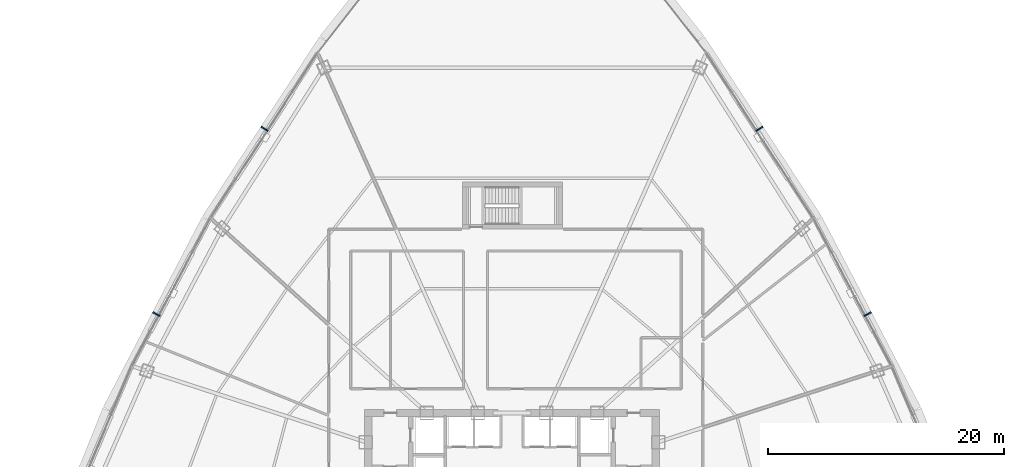
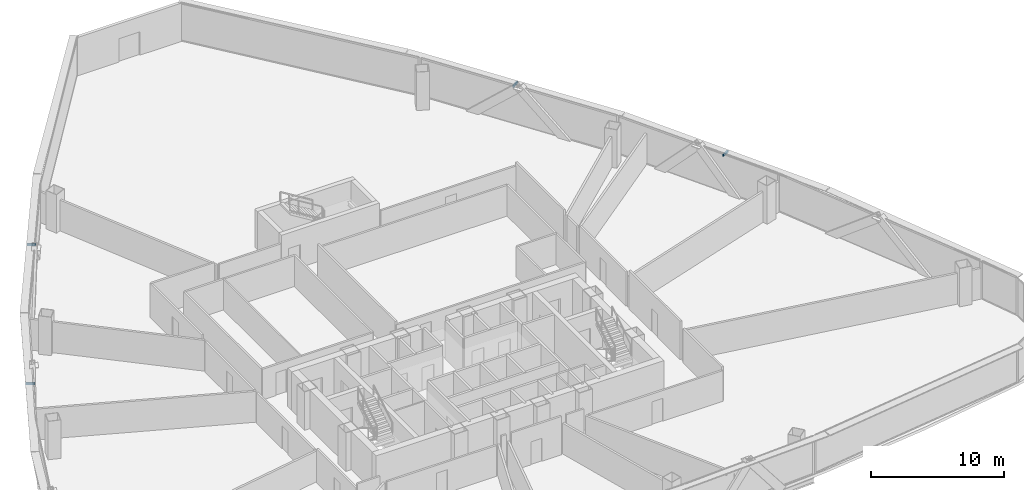
# One storey, part 37 of 41: 4 discrete accessories.
"""IFC4 building model written with IfcOpenShell, lengths in metres."""

from ifc_helpers import new_model, si_unit, direction, frame, origin, origin_2d, place, context, subcontext, project, spatial, rectangle, extrude, source, transform, mapped, material, type_object, element, save


model = new_model("IFC4")

# Units and contexts
model_context = context("Model", 3, precision=1e-05, world=origin(), true_north=direction((0.0, 1.0)))
body_context = subcontext(model_context, "Body", "Model", "MODEL_VIEW")
ifc_project = project(units=[si_unit("LENGTHUNIT", "METRE"), si_unit("AREAUNIT", "SQUARE_METRE"), si_unit("VOLUMEUNIT", "CUBIC_METRE"), si_unit("PLANEANGLEUNIT", "RADIAN"), si_unit("MASSUNIT", "GRAM", prefix="KILO"), si_unit("THERMODYNAMICTEMPERATUREUNIT", "KELVIN"), si_unit("POWERUNIT", "WATT")], contexts=[model_context])

# Site, building, storey
site_placement = place(None, origin())
site = spatial("IfcSite", under=ifc_project, at=site_placement, CompositionType="ELEMENT")
building_placement = place(site_placement, origin())
building = spatial("IfcBuilding", under=site, at=building_placement, Name="Yunzhuo Pagoda Commons", CompositionType="ELEMENT")
storey_placement = place(building_placement, frame((0.0, 0.0, 115.3798828125)))
storey = spatial("IfcBuildingStorey", under=building, at=storey_placement, Name="L29", CompositionType="ELEMENT", Elevation=115.3798828125)

# Discrete accessories
ifc_material = material(Name="Anodized aluminium 6063-T6", Category="aluminium")
discrete_accessory_type = type_object("IfcDiscreteAccessoryType", Name="BK-SUN1 Sunshade Outrigger Bracket", PredefinedType="BRACKET", material=ifc_material)
shared_shape = source(origin(), body_context, "Body", "SweptSolid", [
    extrude(rectangle(XDim=0.1201171875, YDim=0.679931640625, at=origin_2d()), origin(), (0.0, 0.0, 1.0), 0.179931640625),
])
for number, where, z_axis, x_axis, name in (
    (1, (78.18603515625, 48.591552734375, 3.31005859375), (0.0, 0.0, 1.0), (-0.461206683033, 0.88729273384, 0.0), "L29 sunshade outrigger bracket F2.2"),
    (2, (69.004638671875, 64.3203125, 3.31005859375), (0.0, 0.0, 1.0), (-0.545838756973, 0.837890238269, 0.0), "L29 sunshade outrigger bracket F2.3"),
    (3, (26.995361328125, 64.3203125, 3.31005859375), (0.0, 0.0, 1.0), (-0.545838756973, -0.837890238269, 0.0), "L29 sunshade outrigger bracket F3.2"),
    (4, (17.81396484375, 48.591552734375, 3.31005859375), (0.0, 0.0, 1.0), (-0.461206683033, -0.88729273384, 0.0), "L29 sunshade outrigger bracket F3.3"),
):
    element("IfcDiscreteAccessory", number, at=place(storey_placement, frame(where, z_axis=z_axis, x_axis=x_axis)), inside=storey, type_object=discrete_accessory_type, Name=name, PredefinedType="BRACKET", context=body_context, shape_type="MappedRepresentation", body=[
        mapped(shared_shape, transform((0.0, 0.0, 0.0), scale=1.0)),
    ])

save(model, "model.ifc")
